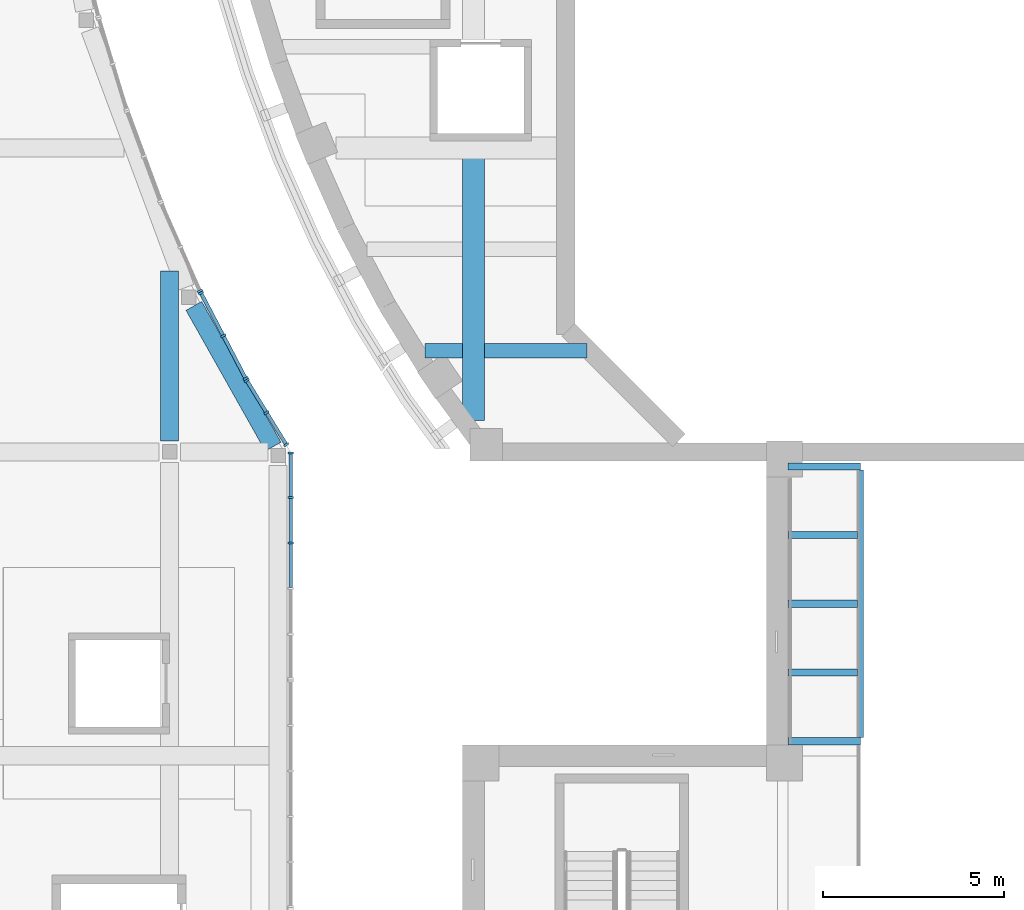
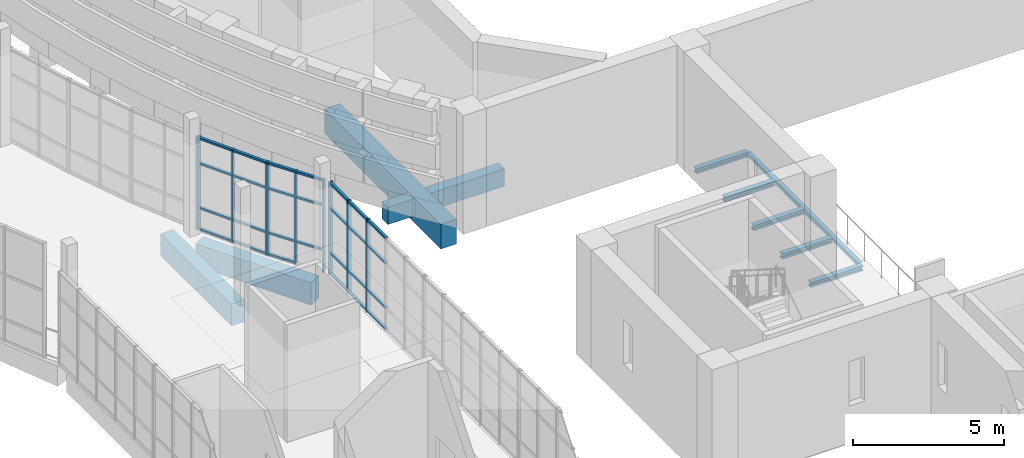
# One storey, part 8 of 103: 37 members, 11 beams, 4 elements without a shape of their own.
"""IFC4 building model written with IfcOpenShell, lengths in metres."""

from ifc_helpers import new_model, si_unit, direction, frame, origin, origin_2d, place, context, subcontext, project, spatial, rectangle, i_section, extrude, material, layer, layer_set, material_profile, profile_set, type_object, element, aggregate, save


model = new_model("IFC4")

# Units and contexts
model_context = context("Model", 3, precision=1e-05, world=origin(), true_north=direction((0.0, 1.0)))
body_context = subcontext(model_context, "Body", "Model", "MODEL_VIEW")
ifc_project = project(units=[si_unit("LENGTHUNIT", "METRE"), si_unit("AREAUNIT", "SQUARE_METRE"), si_unit("VOLUMEUNIT", "CUBIC_METRE"), si_unit("PLANEANGLEUNIT", "RADIAN"), si_unit("MASSUNIT", "GRAM", prefix="KILO")], contexts=[model_context])

# Site, building, storey
site_placement = place(None, origin())
site = spatial("IfcSite", under=ifc_project, at=site_placement, CompositionType="ELEMENT")
building_placement = place(site_placement, origin())
building = spatial("IfcBuilding", under=site, at=building_placement, Name="Larchfold Concert Hall", CompositionType="ELEMENT")
storey_placement = place(building_placement, frame((0.0, 0.0, 9.60009765625)))
storey = spatial("IfcBuildingStorey", under=building, at=storey_placement, Name="L02", CompositionType="ELEMENT", Elevation=9.60009765625)

# Curtain wall, members
ifc_material_1 = material(Name="Anodised graphite aluminium curtain wall", Category="aluminium")
ifc_layer = layer(ifc_material_1, 0.14990234375)
ifc_layer_set = layer_set([ifc_layer], Name="Anodised graphite aluminium curtain wall")
curtain_wall_type = type_object("IfcCurtainWallType", Name="Curtain wall WG", PredefinedType="NOTDEFINED", material=ifc_layer_set)
curtain_wall_1_placement = place(storey_placement, origin())
curtain_wall_1 = element("IfcCurtainWall", 1, at=curtain_wall_1_placement, inside=storey, type_object=curtain_wall_type, Name="Curtain wall CW0214", PredefinedType="NOTDEFINED")
ifc_material_2 = material(Name="Anodised graphite aluminium mullion", Category="aluminium")
ifc_material_profile_1 = material_profile(ifc_material_2, rectangle(XDim=0.14990234375, YDim=0.06005859375, at=origin_2d()))
ifc_profile_set_1 = profile_set([ifc_material_profile_1], Name="Anodised graphite aluminium mullion")
member_type_1 = type_object("IfcMemberType", Name="Aluminium mullion 60x150", PredefinedType="MULLION", material=ifc_profile_set_1)
member_1_placement = place(storey_placement, frame((20.625732421875, 59.600341796875, 0.0), z_axis=(0.0, 0.0, 1.0), x_axis=(-0.851677878745, -0.524065636019, 0.0)))
member_1 = element("IfcMember", 2, at=member_1_placement, type_object=member_type_1, Name="CW0214 mullion 1", PredefinedType="MULLION", context=body_context, shape_type="SweptSolid", body=[
    extrude(rectangle(XDim=0.14990234375, YDim=0.06005859375, at=origin_2d()), origin(), (0.0, 0.0, 1.0), 3.75),
])
member_2_placement = place(storey_placement, frame((20.080078125, 60.487060546875, 0.0), z_axis=(0.0, 0.0, 1.0), x_axis=(-0.851677878745, -0.524065636019, 0.0)))
member_2 = element("IfcMember", 3, at=member_2_placement, type_object=member_type_1, Name="CW0214 mullion 2", PredefinedType="MULLION", context=body_context, shape_type="SweptSolid", body=[
    extrude(rectangle(XDim=0.14990234375, YDim=0.06005859375, at=origin_2d()), origin(), (0.0, 0.0, 1.0), 3.75),
])
member_3_placement = place(storey_placement, frame((19.5341796875, 61.373779296875, 0.0), z_axis=(0.0, 0.0, 1.0), x_axis=(-0.851677878745, -0.524065636019, 0.0)))
member_3 = element("IfcMember", 4, at=member_3_placement, type_object=member_type_1, Name="CW0214 mullion 3", PredefinedType="MULLION", context=body_context, shape_type="SweptSolid", body=[
    extrude(rectangle(XDim=0.14990234375, YDim=0.06005859375, at=origin_2d()), origin(), (0.0, 0.0, 1.0), 3.75),
])

curtain_wall_2_placement = place(storey_placement, origin())
curtain_wall_2 = element("IfcCurtainWall", 5, at=curtain_wall_2_placement, inside=storey, type_object=curtain_wall_type, Name="Curtain wall CW0215", PredefinedType="NOTDEFINED")
member_4_placement = place(storey_placement, frame((19.504638671875, 61.426025390625, 0.0), z_axis=(0.0, 0.0, 1.0), x_axis=(-0.886259622838, -0.463188817791, 0.0)))
member_4 = element("IfcMember", 6, at=member_4_placement, type_object=member_type_1, Name="CW0215 mullion 1", PredefinedType="MULLION", context=body_context, shape_type="SweptSolid", body=[
    extrude(rectangle(XDim=0.14990234375, YDim=0.06005859375, at=origin_2d()), origin(), (0.0, 0.0, 1.0), 3.75),
])
member_5_placement = place(storey_placement, frame((18.8857421875, 62.610107421875, 0.0), z_axis=(0.0, 0.0, 1.0), x_axis=(-0.886259622838, -0.463188817791, 0.0)))
member_5 = element("IfcMember", 7, at=member_5_placement, type_object=member_type_1, Name="CW0215 mullion 2", PredefinedType="MULLION", context=body_context, shape_type="SweptSolid", body=[
    extrude(rectangle(XDim=0.14990234375, YDim=0.06005859375, at=origin_2d()), origin(), (0.0, 0.0, 1.0), 3.75),
])
member_6_placement = place(storey_placement, frame((18.266845703125, 63.79443359375, 0.0), z_axis=(0.0, 0.0, 1.0), x_axis=(-0.886259622838, -0.463188817791, 0.0)))
member_6 = element("IfcMember", 8, at=member_6_placement, type_object=member_type_1, Name="CW0215 mullion 3", PredefinedType="MULLION", context=body_context, shape_type="SweptSolid", body=[
    extrude(rectangle(XDim=0.14990234375, YDim=0.06005859375, at=origin_2d()), origin(), (0.0, 0.0, 1.0), 3.75),
])

# Curtain wall, member
curtain_wall_3_placement = place(storey_placement, origin())
curtain_wall_3 = element("IfcCurtainWall", 9, at=curtain_wall_3_placement, inside=storey, type_object=curtain_wall_type, Name="Curtain wall CW0216", PredefinedType="NOTDEFINED")
member_7_placement = place(storey_placement, frame((18.24072265625, 63.848388671875, 0.0), z_axis=(0.0, 0.0, 1.0), x_axis=(-0.914743817973, -0.404034339481, 0.0)))
member_7 = element("IfcMember", 10, at=member_7_placement, type_object=member_type_1, Name="CW0216 mullion 1", PredefinedType="MULLION", context=body_context, shape_type="SweptSolid", body=[
    extrude(rectangle(XDim=0.14990234375, YDim=0.06005859375, at=origin_2d()), origin(), (0.0, 0.0, 1.0), 3.75),
])
aggregate(curtain_wall_3, [member_7])

# Curtain wall, members
curtain_wall_4_placement = place(storey_placement, origin())
curtain_wall_4 = element("IfcCurtainWall", 11, at=curtain_wall_4_placement, inside=storey, type_object=curtain_wall_type, Name="Curtain wall CW0291", PredefinedType="NOTDEFINED")
member_8_placement = place(storey_placement, frame((20.748779296875, 56.8798828125, 0.0), z_axis=(0.0, 0.0, 1.0), x_axis=(-1.0, 0.0, 0.0)))
member_8 = element("IfcMember", 12, at=member_8_placement, type_object=member_type_1, Name="CW0291 mullion 4", PredefinedType="MULLION", context=body_context, shape_type="SweptSolid", body=[
    extrude(rectangle(XDim=0.14990234375, YDim=0.06005859375, at=origin_2d()), origin(), (0.0, 0.0, 1.0), 3.75),
])
member_9_placement = place(storey_placement, frame((20.748779296875, 58.139892578125, 0.0), z_axis=(0.0, 0.0, 1.0), x_axis=(-1.0, 0.0, 0.0)))
member_9 = element("IfcMember", 13, at=member_9_placement, type_object=member_type_1, Name="CW0291 mullion 5", PredefinedType="MULLION", context=body_context, shape_type="SweptSolid", body=[
    extrude(rectangle(XDim=0.14990234375, YDim=0.06005859375, at=origin_2d()), origin(), (0.0, 0.0, 1.0), 3.75),
])
member_10_placement = place(storey_placement, frame((20.748779296875, 59.369873046875, 0.0), z_axis=(0.0, 0.0, 1.0), x_axis=(-1.0, 0.0, 0.0)))
member_10 = element("IfcMember", 14, at=member_10_placement, type_object=member_type_1, Name="CW0291 mullion 6", PredefinedType="MULLION", context=body_context, shape_type="SweptSolid", body=[
    extrude(rectangle(XDim=0.14990234375, YDim=0.06005859375, at=origin_2d()), origin(), (0.0, 0.0, 1.0), 3.75),
])

# Member
ifc_material_3 = material(Name="Anodised graphite aluminium transom", Category="aluminium")
ifc_material_profile_2 = material_profile(ifc_material_3, rectangle(XDim=0.10009765625, YDim=0.080078125, at=origin_2d()))
ifc_profile_set_2 = profile_set([ifc_material_profile_2], Name="Anodised graphite aluminium transom")
member_type_2 = type_object("IfcMemberType", Name="Aluminium transom 80x100", PredefinedType="USERDEFINED", material=ifc_profile_set_2)
member_11_placement = place(storey_placement, frame((20.60986328125, 59.625732421875, 0.89990234375), z_axis=(-0.524014127318, 0.851709571609, 0.0), x_axis=(-0.851709571609, -0.524014127318, 0.0)))
member_11 = element("IfcMember", 15, at=member_11_placement, type_object=member_type_2, Name="CW0214 transom 1.2", ObjectType="TRANSOM", PredefinedType="USERDEFINED", context=body_context, shape_type="SweptSolid", body=[
    extrude(rectangle(XDim=0.10009765625, YDim=0.080078125, at=origin_2d()), origin(), (0.0, 0.0, 1.0), 0.981201171875),
])

member_12_placement = place(storey_placement, frame((20.60986328125, 59.625732421875, 2.699951171875), z_axis=(-0.524014127318, 0.851709571609, 0.0), x_axis=(-0.851709571609, -0.524014127318, 0.0)))
member_12 = element("IfcMember", 16, at=member_12_placement, type_object=member_type_2, Name="CW0214 transom 1.3", ObjectType="TRANSOM", PredefinedType="USERDEFINED", context=body_context, shape_type="SweptSolid", body=[
    extrude(rectangle(XDim=0.10009765625, YDim=0.080078125, at=origin_2d()), origin(), (0.0, 0.0, 1.0), 0.981201171875),
])

member_13_placement = place(storey_placement, frame((20.60986328125, 59.625732421875, 3.7099609375), z_axis=(-0.524014127318, 0.851709571609, 0.0), x_axis=(-0.851709571609, -0.524014127318, 0.0)))
member_13 = element("IfcMember", 17, at=member_13_placement, type_object=member_type_2, Name="CW0214 transom 1.4", ObjectType="TRANSOM", PredefinedType="USERDEFINED", context=body_context, shape_type="SweptSolid", body=[
    extrude(rectangle(XDim=0.10009765625, YDim=0.080078125, at=origin_2d()), origin(), (0.0, 0.0, 1.0), 0.981201171875),
])

member_14_placement = place(storey_placement, frame((20.064208984375, 60.5126953125, 0.0400390625), z_axis=(-0.524014127318, 0.851709571609, 0.0), x_axis=(-0.851709571609, -0.524014127318, 0.0)))
member_14 = element("IfcMember", 18, at=member_14_placement, type_object=member_type_2, Name="CW0214 transom 2.1", ObjectType="TRANSOM", PredefinedType="USERDEFINED", context=body_context, shape_type="SweptSolid", body=[
    extrude(rectangle(XDim=0.10009765625, YDim=0.080078125, at=origin_2d()), origin(), (0.0, 0.0, 1.0), 0.981201171875),
])

member_15_placement = place(storey_placement, frame((20.064208984375, 60.5126953125, 0.89990234375), z_axis=(-0.524014127318, 0.851709571609, 0.0), x_axis=(-0.851709571609, -0.524014127318, 0.0)))
member_15 = element("IfcMember", 19, at=member_15_placement, type_object=member_type_2, Name="CW0214 transom 2.2", ObjectType="TRANSOM", PredefinedType="USERDEFINED", context=body_context, shape_type="SweptSolid", body=[
    extrude(rectangle(XDim=0.10009765625, YDim=0.080078125, at=origin_2d()), origin(), (0.0, 0.0, 1.0), 0.981201171875),
])

member_16_placement = place(storey_placement, frame((20.064208984375, 60.5126953125, 2.699951171875), z_axis=(-0.524014127318, 0.851709571609, 0.0), x_axis=(-0.851709571609, -0.524014127318, 0.0)))
member_16 = element("IfcMember", 20, at=member_16_placement, type_object=member_type_2, Name="CW0214 transom 2.3", ObjectType="TRANSOM", PredefinedType="USERDEFINED", context=body_context, shape_type="SweptSolid", body=[
    extrude(rectangle(XDim=0.10009765625, YDim=0.080078125, at=origin_2d()), origin(), (0.0, 0.0, 1.0), 0.981201171875),
])

member_17_placement = place(storey_placement, frame((20.064208984375, 60.5126953125, 3.7099609375), z_axis=(-0.524014127318, 0.851709571609, 0.0), x_axis=(-0.851709571609, -0.524014127318, 0.0)))
member_17 = element("IfcMember", 21, at=member_17_placement, type_object=member_type_2, Name="CW0214 transom 2.4", ObjectType="TRANSOM", PredefinedType="USERDEFINED", context=body_context, shape_type="SweptSolid", body=[
    extrude(rectangle(XDim=0.10009765625, YDim=0.080078125, at=origin_2d()), origin(), (0.0, 0.0, 1.0), 0.981201171875),
])

aggregate(curtain_wall_1, [member_1, member_2, member_3, member_11, member_12, member_13, member_14, member_15, member_16, member_17])

member_18_placement = place(storey_placement, frame((19.49072265625, 61.45263671875, 0.0400390625), z_axis=(-0.463134691808, 0.886287908777, 0.0), x_axis=(-0.886287908777, -0.463134691808, 0.0)))
member_18 = element("IfcMember", 22, at=member_18_placement, type_object=member_type_2, Name="CW0215 transom 1.1", ObjectType="TRANSOM", PredefinedType="USERDEFINED", context=body_context, shape_type="SweptSolid", body=[
    extrude(rectangle(XDim=0.10009765625, YDim=0.080078125, at=origin_2d()), origin(), (0.0, 0.0, 1.0), 1.276123046875),
])

member_19_placement = place(storey_placement, frame((19.49072265625, 61.45263671875, 0.89990234375), z_axis=(-0.463134691808, 0.886287908777, 0.0), x_axis=(-0.886287908777, -0.463134691808, 0.0)))
member_19 = element("IfcMember", 23, at=member_19_placement, type_object=member_type_2, Name="CW0215 transom 1.2", ObjectType="TRANSOM", PredefinedType="USERDEFINED", context=body_context, shape_type="SweptSolid", body=[
    extrude(rectangle(XDim=0.10009765625, YDim=0.080078125, at=origin_2d()), origin(), (0.0, 0.0, 1.0), 1.276123046875),
])

member_20_placement = place(storey_placement, frame((19.49072265625, 61.45263671875, 2.699951171875), z_axis=(-0.463134691808, 0.886287908777, 0.0), x_axis=(-0.886287908777, -0.463134691808, 0.0)))
member_20 = element("IfcMember", 24, at=member_20_placement, type_object=member_type_2, Name="CW0215 transom 1.3", ObjectType="TRANSOM", PredefinedType="USERDEFINED", context=body_context, shape_type="SweptSolid", body=[
    extrude(rectangle(XDim=0.10009765625, YDim=0.080078125, at=origin_2d()), origin(), (0.0, 0.0, 1.0), 1.276123046875),
])

member_21_placement = place(storey_placement, frame((19.49072265625, 61.45263671875, 3.7099609375), z_axis=(-0.463134691808, 0.886287908777, 0.0), x_axis=(-0.886287908777, -0.463134691808, 0.0)))
member_21 = element("IfcMember", 25, at=member_21_placement, type_object=member_type_2, Name="CW0215 transom 1.4", ObjectType="TRANSOM", PredefinedType="USERDEFINED", context=body_context, shape_type="SweptSolid", body=[
    extrude(rectangle(XDim=0.10009765625, YDim=0.080078125, at=origin_2d()), origin(), (0.0, 0.0, 1.0), 1.276123046875),
])

member_22_placement = place(storey_placement, frame((18.871826171875, 62.63671875, 0.0400390625), z_axis=(-0.463134691808, 0.886287908777, 0.0), x_axis=(-0.886287908777, -0.463134691808, 0.0)))
member_22 = element("IfcMember", 26, at=member_22_placement, type_object=member_type_2, Name="CW0215 transom 2.1", ObjectType="TRANSOM", PredefinedType="USERDEFINED", context=body_context, shape_type="SweptSolid", body=[
    extrude(rectangle(XDim=0.10009765625, YDim=0.080078125, at=origin_2d()), origin(), (0.0, 0.0, 1.0), 1.276123046875),
])

member_23_placement = place(storey_placement, frame((18.871826171875, 62.63671875, 0.89990234375), z_axis=(-0.463134691808, 0.886287908777, 0.0), x_axis=(-0.886287908777, -0.463134691808, 0.0)))
member_23 = element("IfcMember", 27, at=member_23_placement, type_object=member_type_2, Name="CW0215 transom 2.2", ObjectType="TRANSOM", PredefinedType="USERDEFINED", context=body_context, shape_type="SweptSolid", body=[
    extrude(rectangle(XDim=0.10009765625, YDim=0.080078125, at=origin_2d()), origin(), (0.0, 0.0, 1.0), 1.276123046875),
])

member_24_placement = place(storey_placement, frame((18.871826171875, 62.63671875, 2.699951171875), z_axis=(-0.463134691808, 0.886287908777, 0.0), x_axis=(-0.886287908777, -0.463134691808, 0.0)))
member_24 = element("IfcMember", 28, at=member_24_placement, type_object=member_type_2, Name="CW0215 transom 2.3", ObjectType="TRANSOM", PredefinedType="USERDEFINED", context=body_context, shape_type="SweptSolid", body=[
    extrude(rectangle(XDim=0.10009765625, YDim=0.080078125, at=origin_2d()), origin(), (0.0, 0.0, 1.0), 1.276123046875),
])

member_25_placement = place(storey_placement, frame((18.871826171875, 62.63671875, 3.7099609375), z_axis=(-0.463134691808, 0.886287908777, 0.0), x_axis=(-0.886287908777, -0.463134691808, 0.0)))
member_25 = element("IfcMember", 29, at=member_25_placement, type_object=member_type_2, Name="CW0215 transom 2.4", ObjectType="TRANSOM", PredefinedType="USERDEFINED", context=body_context, shape_type="SweptSolid", body=[
    extrude(rectangle(XDim=0.10009765625, YDim=0.080078125, at=origin_2d()), origin(), (0.0, 0.0, 1.0), 1.276123046875),
])

aggregate(curtain_wall_2, [member_4, member_5, member_6, member_18, member_19, member_20, member_21, member_22, member_23, member_24, member_25])

member_26_placement = place(storey_placement, frame((20.748779296875, 55.64990234375, 0.0400390625), z_axis=(0.0, 1.0, 0.0), x_axis=(-1.0, 0.0, 0.0)))
member_26 = element("IfcMember", 30, at=member_26_placement, type_object=member_type_2, Name="CW0291 transom 3.1", ObjectType="TRANSOM", PredefinedType="USERDEFINED", context=body_context, shape_type="SweptSolid", body=[
    extrude(rectangle(XDim=0.10009765625, YDim=0.080078125, at=origin_2d()), origin(), (0.0, 0.0, 1.0), 1.199951171875),
])

member_27_placement = place(storey_placement, frame((20.748779296875, 55.64990234375, 0.89990234375), z_axis=(0.0, 1.0, 0.0), x_axis=(-1.0, 0.0, 0.0)))
member_27 = element("IfcMember", 31, at=member_27_placement, type_object=member_type_2, Name="CW0291 transom 3.2", ObjectType="TRANSOM", PredefinedType="USERDEFINED", context=body_context, shape_type="SweptSolid", body=[
    extrude(rectangle(XDim=0.10009765625, YDim=0.080078125, at=origin_2d()), origin(), (0.0, 0.0, 1.0), 1.199951171875),
])

member_28_placement = place(storey_placement, frame((20.748779296875, 55.64990234375, 2.699951171875), z_axis=(0.0, 1.0, 0.0), x_axis=(-1.0, 0.0, 0.0)))
member_28 = element("IfcMember", 32, at=member_28_placement, type_object=member_type_2, Name="CW0291 transom 3.3", ObjectType="TRANSOM", PredefinedType="USERDEFINED", context=body_context, shape_type="SweptSolid", body=[
    extrude(rectangle(XDim=0.10009765625, YDim=0.080078125, at=origin_2d()), origin(), (0.0, 0.0, 1.0), 1.199951171875),
])

member_29_placement = place(storey_placement, frame((20.748779296875, 55.64990234375, 3.7099609375), z_axis=(0.0, 1.0, 0.0), x_axis=(-1.0, 0.0, 0.0)))
member_29 = element("IfcMember", 33, at=member_29_placement, type_object=member_type_2, Name="CW0291 transom 3.4", ObjectType="TRANSOM", PredefinedType="USERDEFINED", context=body_context, shape_type="SweptSolid", body=[
    extrude(rectangle(XDim=0.10009765625, YDim=0.080078125, at=origin_2d()), origin(), (0.0, 0.0, 1.0), 1.199951171875),
])

member_30_placement = place(storey_placement, frame((20.748779296875, 56.909912109375, 0.0400390625), z_axis=(0.0, 1.0, 0.0), x_axis=(-1.0, 0.0, 0.0)))
member_30 = element("IfcMember", 34, at=member_30_placement, type_object=member_type_2, Name="CW0291 transom 4.1", ObjectType="TRANSOM", PredefinedType="USERDEFINED", context=body_context, shape_type="SweptSolid", body=[
    extrude(rectangle(XDim=0.10009765625, YDim=0.080078125, at=origin_2d()), origin(), (0.0, 0.0, 1.0), 1.199951171875),
])

member_31_placement = place(storey_placement, frame((20.748779296875, 56.909912109375, 0.89990234375), z_axis=(0.0, 1.0, 0.0), x_axis=(-1.0, 0.0, 0.0)))
member_31 = element("IfcMember", 35, at=member_31_placement, type_object=member_type_2, Name="CW0291 transom 4.2", ObjectType="TRANSOM", PredefinedType="USERDEFINED", context=body_context, shape_type="SweptSolid", body=[
    extrude(rectangle(XDim=0.10009765625, YDim=0.080078125, at=origin_2d()), origin(), (0.0, 0.0, 1.0), 1.199951171875),
])

member_32_placement = place(storey_placement, frame((20.748779296875, 56.909912109375, 2.699951171875), z_axis=(0.0, 1.0, 0.0), x_axis=(-1.0, 0.0, 0.0)))
member_32 = element("IfcMember", 36, at=member_32_placement, type_object=member_type_2, Name="CW0291 transom 4.3", ObjectType="TRANSOM", PredefinedType="USERDEFINED", context=body_context, shape_type="SweptSolid", body=[
    extrude(rectangle(XDim=0.10009765625, YDim=0.080078125, at=origin_2d()), origin(), (0.0, 0.0, 1.0), 1.199951171875),
])

member_33_placement = place(storey_placement, frame((20.748779296875, 56.909912109375, 3.7099609375), z_axis=(0.0, 1.0, 0.0), x_axis=(-1.0, 0.0, 0.0)))
member_33 = element("IfcMember", 37, at=member_33_placement, type_object=member_type_2, Name="CW0291 transom 4.4", ObjectType="TRANSOM", PredefinedType="USERDEFINED", context=body_context, shape_type="SweptSolid", body=[
    extrude(rectangle(XDim=0.10009765625, YDim=0.080078125, at=origin_2d()), origin(), (0.0, 0.0, 1.0), 1.199951171875),
])

member_34_placement = place(storey_placement, frame((20.748779296875, 58.169921875, 0.0400390625), z_axis=(0.0, 1.0, 0.0), x_axis=(-1.0, 0.0, 0.0)))
member_34 = element("IfcMember", 38, at=member_34_placement, type_object=member_type_2, Name="CW0291 transom 5.1", ObjectType="TRANSOM", PredefinedType="USERDEFINED", context=body_context, shape_type="SweptSolid", body=[
    extrude(rectangle(XDim=0.10009765625, YDim=0.080078125, at=origin_2d()), origin(), (0.0, 0.0, 1.0), 1.169921875),
])

member_35_placement = place(storey_placement, frame((20.748779296875, 58.169921875, 0.89990234375), z_axis=(0.0, 1.0, 0.0), x_axis=(-1.0, 0.0, 0.0)))
member_35 = element("IfcMember", 39, at=member_35_placement, type_object=member_type_2, Name="CW0291 transom 5.2", ObjectType="TRANSOM", PredefinedType="USERDEFINED", context=body_context, shape_type="SweptSolid", body=[
    extrude(rectangle(XDim=0.10009765625, YDim=0.080078125, at=origin_2d()), origin(), (0.0, 0.0, 1.0), 1.169921875),
])

member_36_placement = place(storey_placement, frame((20.748779296875, 58.169921875, 2.699951171875), z_axis=(0.0, 1.0, 0.0), x_axis=(-1.0, 0.0, 0.0)))
member_36 = element("IfcMember", 40, at=member_36_placement, type_object=member_type_2, Name="CW0291 transom 5.3", ObjectType="TRANSOM", PredefinedType="USERDEFINED", context=body_context, shape_type="SweptSolid", body=[
    extrude(rectangle(XDim=0.10009765625, YDim=0.080078125, at=origin_2d()), origin(), (0.0, 0.0, 1.0), 1.169921875),
])

member_37_placement = place(storey_placement, frame((20.748779296875, 58.169921875, 3.7099609375), z_axis=(0.0, 1.0, 0.0), x_axis=(-1.0, 0.0, 0.0)))
member_37 = element("IfcMember", 41, at=member_37_placement, type_object=member_type_2, Name="CW0291 transom 5.4", ObjectType="TRANSOM", PredefinedType="USERDEFINED", context=body_context, shape_type="SweptSolid", body=[
    extrude(rectangle(XDim=0.10009765625, YDim=0.080078125, at=origin_2d()), origin(), (0.0, 0.0, 1.0), 1.169921875),
])

aggregate(curtain_wall_4, [member_8, member_9, member_10, member_26, member_27, member_28, member_29, member_30, member_31, member_32, member_33, member_34, member_35, member_36, member_37])

# Beams
ifc_material_4 = material(Name="Concrete C35/45", Category="concrete")
ifc_material_profile_3 = material_profile(ifc_material_4, rectangle(XDim=0.39990234375, YDim=0.699951171875, at=origin_2d()))
ifc_profile_set_3 = profile_set([ifc_material_profile_3], Name="Concrete C35/45")
beam_type_1 = type_object("IfcBeamType", Name="Beam RC 400x700", PredefinedType="BEAM", material=ifc_profile_set_3)
beam_1_placement = place(storey_placement, frame((24.465087890625, 62.199951171875, -0.550048828125), z_axis=(1.0, 0.0, 0.0), x_axis=(0.0, 1.0, 0.0)))
element("IfcBeam", 42, at=beam_1_placement, inside=storey, type_object=beam_type_1, Name="Beam B1303", PredefinedType="BEAM", context=body_context, shape_type="SweptSolid", body=[
    extrude(rectangle(XDim=0.39990234375, YDim=0.699951171875, at=origin_2d()), origin(), (0.0, 0.0, 1.0), 1.034912109375),
])
beam_2_placement = place(storey_placement, frame((26.10009765625, 62.199951171875, -0.550048828125), z_axis=(1.0, 0.0, 0.0), x_axis=(0.0, 1.0, 0.0)))
element("IfcBeam", 43, at=beam_2_placement, inside=storey, type_object=beam_type_1, Name="Beam B1304", PredefinedType="BEAM", context=body_context, shape_type="SweptSolid", body=[
    extrude(rectangle(XDim=0.39990234375, YDim=0.699951171875, at=origin_2d()), origin(), (0.0, 0.0, 1.0), 2.8359375),
])
ifc_material_5 = material(Name="Concrete C35/45", Category="concrete")
ifc_material_profile_4 = material_profile(ifc_material_5, rectangle(XDim=0.5, YDim=0.89990234375, at=origin_2d()))
ifc_profile_set_4 = profile_set([ifc_material_profile_4], Name="Concrete C35/45")
beam_type_2 = type_object("IfcBeamType", Name="Beam RC 500x900", PredefinedType="BEAM", material=ifc_profile_set_4)
beam_3_placement = place(storey_placement, frame((18.0703125, 63.43603515625, -0.60009765625), z_axis=(0.490712804951, -0.871321377597, 0.0), x_axis=(0.871321377597, 0.490712804951, 0.0)))
element("IfcBeam", 44, at=beam_3_placement, inside=storey, type_object=beam_type_2, Name="Beam B1961", PredefinedType="BEAM", context=body_context, shape_type="SweptSolid", body=[
    extrude(rectangle(XDim=0.5, YDim=0.89990234375, at=origin_2d()), origin(), (0.0, 0.0, 1.0), 4.4658203125),
])
beam_4_placement = place(storey_placement, frame((17.39990234375, 59.69873046875, -0.60009765625), z_axis=(0.0, 1.0, 0.0), x_axis=(-1.0, 0.0, 0.0)))
element("IfcBeam", 45, at=beam_4_placement, inside=storey, type_object=beam_type_2, Name="Beam B1968", PredefinedType="BEAM", context=body_context, shape_type="SweptSolid", body=[
    extrude(rectangle(XDim=0.5, YDim=0.89990234375, at=origin_2d()), origin(), (0.0, 0.0, 1.0), 4.699951171875),
])
ifc_material_6 = material(Name="Concrete C35/45", Category="concrete")
ifc_material_profile_5 = material_profile(ifc_material_6, rectangle(XDim=0.60009765625, YDim=1.0, at=origin_2d()))
ifc_profile_set_5 = profile_set([ifc_material_profile_5], Name="Concrete C35/45")
beam_type_3 = type_object("IfcBeamType", Name="Beam RC 600x1000", PredefinedType="BEAM", material=ifc_profile_set_5)
beam_5_placement = place(storey_placement, frame((25.800048828125, 60.271240234375, -0.7001953125), z_axis=(0.0, 1.0, 0.0), x_axis=(-1.0, 0.0, 0.0)))
element("IfcBeam", 46, at=beam_5_placement, inside=storey, type_object=beam_type_3, Name="Beam B1267", PredefinedType="BEAM", context=body_context, shape_type="SweptSolid", body=[
    extrude(rectangle(XDim=0.60009765625, YDim=1.0, at=origin_2d()), origin(), (0.0, 0.0, 1.0), 7.728759765625),
])
ifc_material_7 = material(Name="Steel S355", Category="steel")
ifc_material_profile_6 = material_profile(ifc_material_7, i_section(OverallWidth=0.159912109375, OverallDepth=0.152099609375, WebThickness=0.006103515625, FlangeThickness=0.009033203125, FilletRadius=0.014892578125, at=origin_2d()))
ifc_profile_set_6 = profile_set([ifc_material_profile_6], Name="Steel S355")
beam_type_4 = type_object("IfcBeamType", Name="Steel beam HEA 160", PredefinedType="BEAM", material=ifc_profile_set_6)
beam_6_placement = place(storey_placement, frame((36.5, 51.5, -0.356201171875), z_axis=(0.0, 1.0, 0.0), x_axis=(-1.0, 0.0, 0.0)))
element("IfcBeam", 47, at=beam_6_placement, inside=storey, type_object=beam_type_4, Name="Beam GLW2F", PredefinedType="BEAM", context=body_context, shape_type="SweptSolid", body=[
    extrude(i_section(OverallWidth=0.159912109375, OverallDepth=0.152099609375, WebThickness=0.006103515625, FlangeThickness=0.009033203125, FilletRadius=0.014892578125, at=origin_2d()), origin(), (0.0, 0.0, 1.0), 7.39990234375),
])
ifc_material_8 = material(Name="Steel S355", Category="steel")
ifc_material_profile_7 = material_profile(ifc_material_8, i_section(OverallWidth=0.199951171875, OverallDepth=0.199951171875, WebThickness=0.009033203125, FlangeThickness=0.014892578125, FilletRadius=0.01806640625, at=origin_2d()))
ifc_profile_set_7 = profile_set([ifc_material_profile_7], Name="Steel S355")
beam_type_5 = type_object("IfcBeamType", Name="Steel beam HEB 200", PredefinedType="BEAM", material=ifc_profile_set_7)
beam_7_placement = place(storey_placement, frame((34.5, 51.39990234375, -0.380126953125), z_axis=(1.0, 0.0, 0.0), x_axis=(0.0, 1.0, 0.0)))
element("IfcBeam", 48, at=beam_7_placement, inside=storey, type_object=beam_type_5, Name="Beam GLW21", PredefinedType="BEAM", context=body_context, shape_type="SweptSolid", body=[
    extrude(i_section(OverallWidth=0.199951171875, OverallDepth=0.199951171875, WebThickness=0.009033203125, FlangeThickness=0.014892578125, FilletRadius=0.01806640625, at=origin_2d()), origin(), (0.0, 0.0, 1.0), 2.0),
])
for number, where, z_axis, x_axis, name in (
    (49, (34.5, 53.300048828125, -0.380126953125), (1.0, 0.0, 0.0), (0.0, 1.0, 0.0), "Beam GLW22"),
    (50, (34.5, 55.199951171875, -0.380126953125), (1.0, 0.0, 0.0), (0.0, 1.0, 0.0), "Beam GLW23"),
    (51, (34.5, 57.10009765625, -0.380126953125), (1.0, 0.0, 0.0), (0.0, 1.0, 0.0), "Beam GLW24"),
):
    element("IfcBeam", number, at=place(storey_placement, frame(where, z_axis=z_axis, x_axis=x_axis)), inside=storey, type_object=beam_type_5, Name=name, PredefinedType="BEAM", context=body_context, shape_type="SweptSolid", body=[
        extrude(i_section(OverallWidth=0.199951171875, OverallDepth=0.199951171875, WebThickness=0.009033203125, FlangeThickness=0.014892578125, FilletRadius=0.01806640625, at=origin_2d()), origin(), (0.0, 0.0, 1.0), 1.919921875),
    ])
beam_8_placement = place(storey_placement, frame((34.5, 59.0, -0.380126953125), z_axis=(1.0, 0.0, 0.0), x_axis=(0.0, 1.0, 0.0)))
element("IfcBeam", 52, at=beam_8_placement, inside=storey, type_object=beam_type_5, Name="Beam GLW25", PredefinedType="BEAM", context=body_context, shape_type="SweptSolid", body=[
    extrude(i_section(OverallWidth=0.199951171875, OverallDepth=0.199951171875, WebThickness=0.009033203125, FlangeThickness=0.014892578125, FilletRadius=0.01806640625, at=origin_2d()), origin(), (0.0, 0.0, 1.0), 2.0),
])

save(model, "model.ifc")
